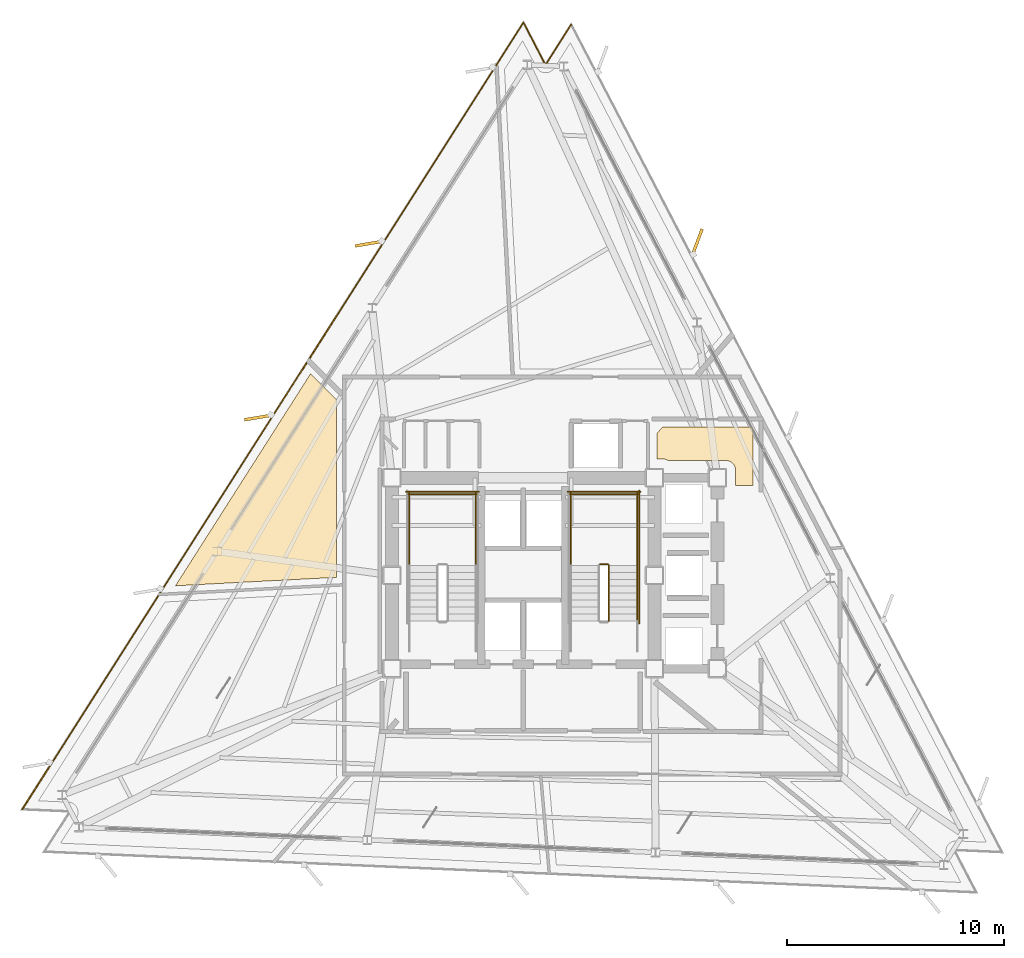
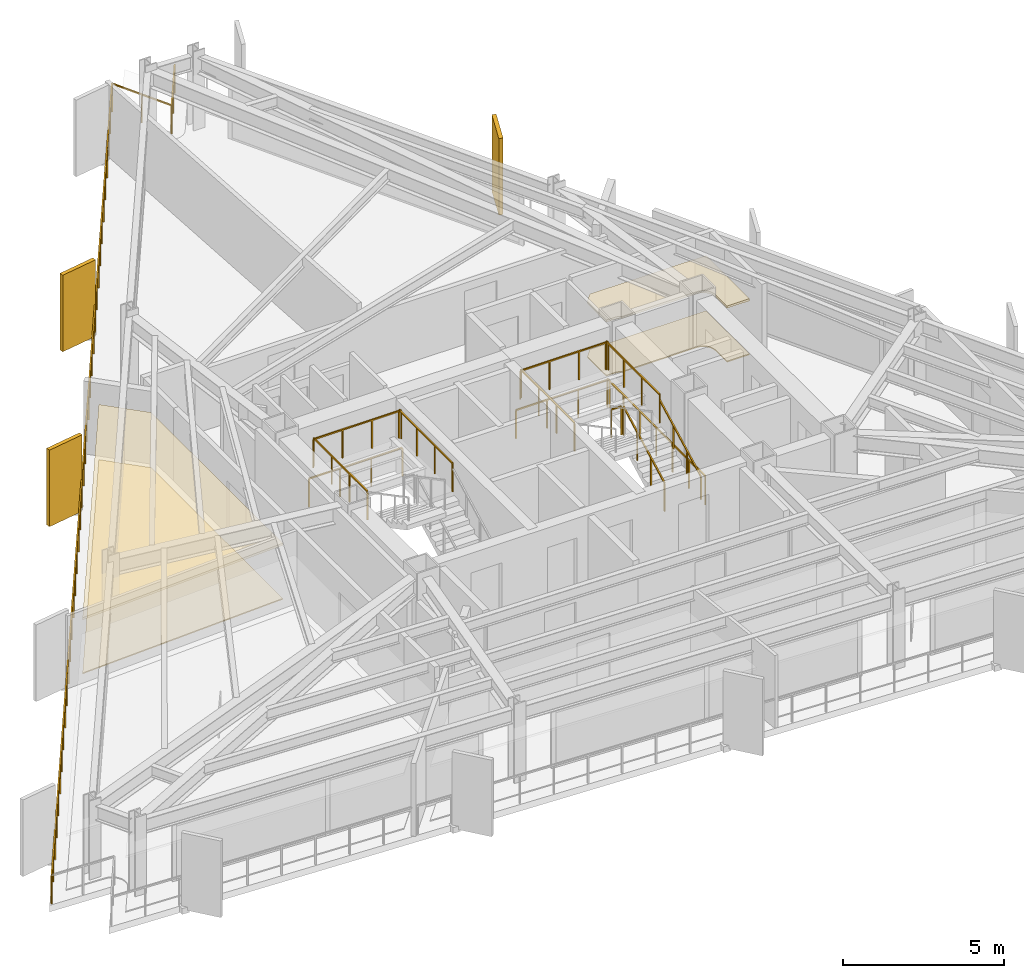
# One storey, part 11 of 12: 13 railings, 4 coverings, 3 shading devices.
"""IFC4 building model written with IfcOpenShell, lengths in metres."""

from ifc_helpers import new_model, si_unit, direction, frame, origin, origin_2d, place, context, subcontext, project, spatial, polyline, rectangle, outline, extrude, material, layer, layer_set, type_object, element, save


model = new_model("IFC4")

# Units and contexts
model_context = context("Model", 3, precision=1e-05, world=origin(), true_north=direction((0.0, 1.0)))
body_context = subcontext(model_context, "Body", "Model", "MODEL_VIEW")
ifc_project = project(units=[si_unit("LENGTHUNIT", "METRE"), si_unit("AREAUNIT", "SQUARE_METRE"), si_unit("VOLUMEUNIT", "CUBIC_METRE"), si_unit("PLANEANGLEUNIT", "RADIAN"), si_unit("MASSUNIT", "GRAM", prefix="KILO")], contexts=[model_context])

# Site, building, storey
site_placement = place(None, origin())
site = spatial("IfcSite", under=ifc_project, at=site_placement, CompositionType="ELEMENT")
building_placement = place(site_placement, origin())
building = spatial("IfcBuilding", under=site, at=building_placement, Name="Rocaltana Carrier Exchange", CompositionType="ELEMENT")
storey_placement = place(building_placement, frame((0.0, 0.0, 128.9599609375)))
storey = spatial("IfcBuildingStorey", under=building, at=storey_placement, Name="L40", CompositionType="ELEMENT", Elevation=128.9599609375)

# Coverings
ifc_material_1 = material(Name="Honed Bogota Sandstone Tile", Category="masonry")
ifc_layer_1 = layer(ifc_material_1, 0.0400390625)
ifc_layer_set_1 = layer_set([ifc_layer_1], Name="Honed Bogota Sandstone Tile")
covering_type_1 = type_object("IfcCoveringType", Name="Honed Stone Lobby Flooring 40", PredefinedType="FLOORING", material=ifc_layer_set_1)
covering_1_placement = place(storey_placement, origin())
element("IfcCovering", 1, at=covering_1_placement, inside=storey, type_object=covering_type_1, Name="L40 Peering Conference Room Finish Floor", PredefinedType="FLOORING", context=body_context, shape_type="SweptSolid", body=[
    extrude(outline(polyline([(6.6875, 5.2900390625), (6.682861328125, 5.293212890625), (6.66943359375, 5.30126953125), (6.64501953125, 5.314208984375), (6.630859375, 5.32080078125), (6.605712890625, 5.33154296875), (6.5908203125, 5.336669921875), (6.564453125, 5.3447265625), (6.54931640625, 5.348388671875), (6.522216796875, 5.35400390625), (6.5068359375, 5.356201171875), (6.4794921875, 5.35888671875), (6.463623046875, 5.359619140625), (6.449951171875, 5.360107421875), (6.159912109375, 5.360107421875), (6.159912109375, 6.53759765625), (6.4228515625, 6.840087890625), (10.60009765625, 6.840087890625), (10.60009765625, 4.139892578125), (9.7900390625, 4.139892578125), (9.7900390625, 4.85009765625), (9.789794921875, 4.86376953125), (9.788818359375, 4.87939453125), (9.7861328125, 4.90673828125), (9.783935546875, 4.92236328125), (9.778564453125, 4.94921875), (9.774658203125, 4.964599609375), (9.7666015625, 4.99072265625), (9.761474609375, 5.005615234375), (9.7509765625, 5.031005859375), (9.744140625, 5.045166015625), (9.731201171875, 5.0693359375), (9.72314453125, 5.082763671875), (9.7080078125, 5.105712890625), (9.698486328125, 5.118408203125), (9.68115234375, 5.139404296875), (9.670654296875, 5.151123046875), (9.651123046875, 5.170654296875), (9.639404296875, 5.18115234375), (9.618408203125, 5.198486328125), (9.605712890625, 5.2080078125), (9.582763671875, 5.22314453125), (9.5693359375, 5.231201171875), (9.545166015625, 5.244140625), (9.531005859375, 5.2509765625), (9.505615234375, 5.261474609375), (9.49072265625, 5.2666015625), (9.464599609375, 5.274658203125), (9.44921875, 5.278564453125), (9.42236328125, 5.283935546875), (9.40673828125, 5.2861328125), (9.37939453125, 5.288818359375), (9.36376953125, 5.289794921875), (9.35009765625, 5.2900390625), (6.6875, 5.2900390625)])), origin(), (0.0, 0.0, 1.0), 0.0400390625),
])
covering_2_placement = place(storey_placement, origin())
element("IfcCovering", 2, at=covering_2_placement, inside=storey, type_object=covering_type_1, Name="L40 Carrier Peering Suite Finish Floor", PredefinedType="FLOORING", context=body_context, shape_type="SweptSolid", body=[
    extrude(outline(polyline([(-9.802734375, 9.293701171875), (-8.610107421875, 8.100830078125), (-8.610107421875, -0.0908203125), (-16.02880859375, -0.4794921875), (-9.802734375, 9.293701171875)])), origin(), (0.0, 0.0, 1.0), 0.0400390625),
])
ifc_material_2 = material(Name="Anodised Aluminium 6063-T6", Category="aluminium")
ifc_layer_2 = layer(ifc_material_2, 0.0849609375)
ifc_layer_set_2 = layer_set([ifc_layer_2], Name="Anodised Aluminium 6063-T6")
covering_type_2 = type_object("IfcCoveringType", Name="Linear Baffle Acoustic Ceiling 85", PredefinedType="CEILING", material=ifc_layer_set_2)
covering_3_placement = place(storey_placement, frame((0.0, 0.0, 2.052978515625)))
element("IfcCovering", 3, at=covering_3_placement, inside=storey, type_object=covering_type_2, Name="L40 Peering Conference Room Acoustic Ceiling", PredefinedType="CEILING", context=body_context, shape_type="SweptSolid", body=[
    extrude(outline(polyline([(6.6875, 5.2900390625), (6.682861328125, 5.293212890625), (6.66943359375, 5.30126953125), (6.64501953125, 5.314208984375), (6.630859375, 5.32080078125), (6.605712890625, 5.33154296875), (6.5908203125, 5.336669921875), (6.564453125, 5.3447265625), (6.54931640625, 5.348388671875), (6.522216796875, 5.35400390625), (6.5068359375, 5.356201171875), (6.4794921875, 5.35888671875), (6.463623046875, 5.359619140625), (6.449951171875, 5.360107421875), (6.159912109375, 5.360107421875), (6.159912109375, 6.53759765625), (6.4228515625, 6.840087890625), (10.60009765625, 6.840087890625), (10.60009765625, 4.139892578125), (9.7900390625, 4.139892578125), (9.7900390625, 4.85009765625), (9.789794921875, 4.86376953125), (9.788818359375, 4.87939453125), (9.7861328125, 4.90673828125), (9.783935546875, 4.92236328125), (9.778564453125, 4.94921875), (9.774658203125, 4.964599609375), (9.7666015625, 4.99072265625), (9.761474609375, 5.005615234375), (9.7509765625, 5.031005859375), (9.744140625, 5.045166015625), (9.731201171875, 5.0693359375), (9.72314453125, 5.082763671875), (9.7080078125, 5.105712890625), (9.698486328125, 5.118408203125), (9.68115234375, 5.139404296875), (9.670654296875, 5.151123046875), (9.651123046875, 5.170654296875), (9.639404296875, 5.18115234375), (9.618408203125, 5.198486328125), (9.605712890625, 5.2080078125), (9.582763671875, 5.22314453125), (9.5693359375, 5.231201171875), (9.545166015625, 5.244140625), (9.531005859375, 5.2509765625), (9.505615234375, 5.261474609375), (9.49072265625, 5.2666015625), (9.464599609375, 5.274658203125), (9.44921875, 5.278564453125), (9.42236328125, 5.283935546875), (9.40673828125, 5.2861328125), (9.37939453125, 5.288818359375), (9.36376953125, 5.289794921875), (9.35009765625, 5.2900390625), (6.6875, 5.2900390625)])), origin(), (0.0, 0.0, 1.0), 0.0849609375),
])
covering_4_placement = place(storey_placement, frame((0.0, 0.0, 2.052978515625)))
element("IfcCovering", 4, at=covering_4_placement, inside=storey, type_object=covering_type_2, Name="L40 Carrier Peering Suite Acoustic Ceiling", PredefinedType="CEILING", context=body_context, shape_type="SweptSolid", body=[
    extrude(outline(polyline([(-9.802734375, 9.293701171875), (-8.610107421875, 8.100830078125), (-8.610107421875, -0.0908203125), (-16.02880859375, -0.4794921875), (-9.802734375, 9.293701171875)])), origin(), (0.0, 0.0, 1.0), 0.0849609375),
])

# Railings
ifc_material_3 = material(Name="Brushed Architectural Stainless Tube", Category="steel")
ifc_layer_3 = layer(ifc_material_3, 0.048095703125)
ifc_layer_set_3 = layer_set([ifc_layer_3], Name="Brushed Architectural Stainless Tube")
railing_type_1 = type_object("IfcRailingType", Name="Stair Wall Handrail 920", PredefinedType="HANDRAIL", material=ifc_layer_set_3)
railing_1_placement = place(storey_placement, frame((5.25, -2.10009765625, 0.1689453125)))
element("IfcRailing", 5, at=railing_1_placement, inside=storey, type_object=railing_type_1, Name="L40 ST-2 stair handrail 1", PredefinedType="HANDRAIL", context=body_context, shape_type="SweptSolid", body=[
    extrude(rectangle(XDim=0.048095703125, YDim=0.048095703125, at=origin_2d()), frame((0.0, 0.0, 0.8759765625), z_axis=(0.0, 0.884394423565, 0.466740295633), x_axis=(-1.0, 0.0, 0.0)), (0.0, 0.0, 1.0), 2.894775390625),
    extrude(rectangle(XDim=0.0419921875, YDim=0.0419921875, at=origin_2d()), origin(), (0.0, 0.0, 1.0), 0.851806640625),
    extrude(rectangle(XDim=0.0419921875, YDim=0.0419921875, at=origin_2d()), frame((0.0, 0.853271484375, 0.450439453125)), (0.0, 0.0, 1.0), 0.851806640625),
    extrude(rectangle(XDim=0.0419921875, YDim=0.0419921875, at=origin_2d()), frame((0.0, 1.706787109375, 0.900634765625)), (0.0, 0.0, 1.0), 0.851806640625),
    extrude(rectangle(XDim=0.0419921875, YDim=0.0419921875, at=origin_2d()), frame((0.0, 2.56005859375, 1.35107421875)), (0.0, 0.0, 1.0), 0.851806640625),
])
ifc_material_4 = material(Name="Powder-Coated Aluminium 6063-T6", Category="aluminium")
ifc_layer_4 = layer(ifc_material_4, 0.048095703125)
ifc_layer_set_4 = layer_set([ifc_layer_4], Name="Powder-Coated Aluminium 6063-T6")
railing_type_2 = type_object("IfcRailingType", Name="Stair Well Guardrail 1100", PredefinedType="GUARDRAIL", material=ifc_layer_set_4)
for number, where, name in (
    (6, (-2.18994140625, 0.4599609375, 1.52001953125), "L40 ST-1 stair guard 3"),
    (7, (-5.25, 0.4599609375, 1.52001953125), "L40 ST-1 stair guard 4"),
):
    element("IfcRailing", number, at=place(storey_placement, frame(where)), inside=storey, type_object=railing_type_2, Name=name, PredefinedType="GUARDRAIL", context=body_context, shape_type="SweptSolid", body=[
        extrude(rectangle(XDim=0.048095703125, YDim=0.048095703125, at=origin_2d()), frame((0.0, 0.0, 1.076171875), z_axis=(0.0, 1.0, 0.0), x_axis=(-1.0, 0.0, 0.0)), (0.0, 0.0, 1.0), 3.340087890625),
        extrude(rectangle(XDim=0.0419921875, YDim=0.0419921875, at=origin_2d()), origin(), (0.0, 0.0, 1.0), 1.052001953125),
        extrude(rectangle(XDim=0.0419921875, YDim=0.0419921875, at=origin_2d()), frame((0.0, 1.11328125, 0.0)), (0.0, 0.0, 1.0), 1.052001953125),
        extrude(rectangle(XDim=0.0419921875, YDim=0.0419921875, at=origin_2d()), frame((0.0, 2.226806640625, 0.0)), (0.0, 0.0, 1.0), 1.052001953125),
        extrude(rectangle(XDim=0.0419921875, YDim=0.0419921875, at=origin_2d()), frame((0.0, 3.340087890625, 0.0)), (0.0, 0.0, 1.0), 1.052001953125),
    ])
railing_2_placement = place(storey_placement, frame((-2.139892578125, 3.75, 1.52001953125)))
element("IfcRailing", 8, at=railing_2_placement, inside=storey, type_object=railing_type_2, Name="L40 ST-1 stair guard 5", PredefinedType="GUARDRAIL", context=body_context, shape_type="SweptSolid", body=[
    extrude(rectangle(XDim=0.048095703125, YDim=0.048095703125, at=origin_2d()), frame((0.0, 0.0, 1.076171875), z_axis=(-1.0, 0.0, 0.0), x_axis=(0.0, -1.0, 0.0)), (0.0, 0.0, 1.0), 3.16015625),
    extrude(rectangle(XDim=0.0419921875, YDim=0.0419921875, at=origin_2d()), origin(), (0.0, 0.0, 1.0), 1.052001953125),
    extrude(rectangle(XDim=0.0419921875, YDim=0.0419921875, at=origin_2d()), frame((-1.053466796875, 0.0, 0.0)), (0.0, 0.0, 1.0), 1.052001953125),
    extrude(rectangle(XDim=0.0419921875, YDim=0.0419921875, at=origin_2d()), frame((-2.106689453125, 0.0, 0.0)), (0.0, 0.0, 1.0), 1.052001953125),
    extrude(rectangle(XDim=0.0419921875, YDim=0.0419921875, at=origin_2d()), frame((-3.16015625, 0.0, 0.0)), (0.0, 0.0, 1.0), 1.052001953125),
])
railing_3_placement = place(storey_placement, frame((-2.0400390625, 3.85009765625, 0.0)))
element("IfcRailing", 9, at=railing_3_placement, inside=storey, type_object=railing_type_2, Name="L40 ST-1 stair guard 12", PredefinedType="GUARDRAIL", context=body_context, shape_type="SweptSolid", body=[
    extrude(rectangle(XDim=0.048095703125, YDim=0.048095703125, at=origin_2d()), frame((0.0, 0.0, 1.076171875), z_axis=(-1.0, 0.0, 0.0), x_axis=(0.0, -1.0, 0.0)), (0.0, 0.0, 1.0), 3.35986328125),
    extrude(rectangle(XDim=0.0419921875, YDim=0.0419921875, at=origin_2d()), origin(), (0.0, 0.0, 1.0), 1.052001953125),
    extrude(rectangle(XDim=0.0419921875, YDim=0.0419921875, at=origin_2d()), frame((-1.119873046875, 0.0, 0.0)), (0.0, 0.0, 1.0), 1.052001953125),
    extrude(rectangle(XDim=0.0419921875, YDim=0.0419921875, at=origin_2d()), frame((-2.239990234375, 0.0, 0.0)), (0.0, 0.0, 1.0), 1.052001953125),
    extrude(rectangle(XDim=0.0419921875, YDim=0.0419921875, at=origin_2d()), frame((-3.35986328125, 0.0, 0.0)), (0.0, 0.0, 1.0), 1.052001953125),
])
railing_4_placement = place(storey_placement, frame((3.949951171875, -2.10009765625, 0.1689453125)))
element("IfcRailing", 10, at=railing_4_placement, inside=storey, type_object=railing_type_2, Name="L40 ST-2 stair guard 1", PredefinedType="GUARDRAIL", context=body_context, shape_type="SweptSolid", body=[
    extrude(rectangle(XDim=0.048095703125, YDim=0.048095703125, at=origin_2d()), frame((0.0, 0.0, 1.076171875), z_axis=(0.0, 0.884394423565, 0.466740295633), x_axis=(-1.0, 0.0, 0.0)), (0.0, 0.0, 1.0), 2.894775390625),
    extrude(rectangle(XDim=0.0419921875, YDim=0.0419921875, at=origin_2d()), origin(), (0.0, 0.0, 1.0), 1.052001953125),
    extrude(rectangle(XDim=0.0419921875, YDim=0.0419921875, at=origin_2d()), frame((0.0, 0.853271484375, 0.450439453125)), (0.0, 0.0, 1.0), 1.052001953125),
    extrude(rectangle(XDim=0.0419921875, YDim=0.0419921875, at=origin_2d()), frame((0.0, 1.706787109375, 0.900634765625)), (0.0, 0.0, 1.0), 1.052001953125),
    extrude(rectangle(XDim=0.0419921875, YDim=0.0419921875, at=origin_2d()), frame((0.0, 2.56005859375, 1.35107421875)), (0.0, 0.0, 1.0), 1.052001953125),
])
railing_5_placement = place(storey_placement, frame((3.89990234375, 0.510009765625, 1.52001953125)))
element("IfcRailing", 11, at=railing_5_placement, inside=storey, type_object=railing_type_2, Name="L40 ST-2 stair guard 2", PredefinedType="GUARDRAIL", context=body_context, shape_type="SweptSolid", body=[
    extrude(rectangle(XDim=0.048095703125, YDim=0.048095703125, at=origin_2d()), frame((0.0, 0.0, 1.076171875), z_axis=(-1.0, 0.0, 0.0), x_axis=(0.0, -1.0, 0.0)), (0.0, 0.0, 1.0), 0.35986328125),
    extrude(rectangle(XDim=0.0419921875, YDim=0.0419921875, at=origin_2d()), origin(), (0.0, 0.0, 1.0), 1.052001953125),
    extrude(rectangle(XDim=0.0419921875, YDim=0.0419921875, at=origin_2d()), frame((-0.35986328125, 0.0, 0.0)), (0.0, 0.0, 1.0), 1.052001953125),
])
for number, where, name in (
    (12, (5.25, 0.4599609375, 1.52001953125), "L40 ST-2 stair guard 3"),
    (13, (2.18994140625, 0.4599609375, 1.52001953125), "L40 ST-2 stair guard 4"),
):
    element("IfcRailing", number, at=place(storey_placement, frame(where)), inside=storey, type_object=railing_type_2, Name=name, PredefinedType="GUARDRAIL", context=body_context, shape_type="SweptSolid", body=[
        extrude(rectangle(XDim=0.048095703125, YDim=0.048095703125, at=origin_2d()), frame((0.0, 0.0, 1.076171875), z_axis=(0.0, 1.0, 0.0), x_axis=(-1.0, 0.0, 0.0)), (0.0, 0.0, 1.0), 3.340087890625),
        extrude(rectangle(XDim=0.0419921875, YDim=0.0419921875, at=origin_2d()), origin(), (0.0, 0.0, 1.0), 1.052001953125),
        extrude(rectangle(XDim=0.0419921875, YDim=0.0419921875, at=origin_2d()), frame((0.0, 1.11328125, 0.0)), (0.0, 0.0, 1.0), 1.052001953125),
        extrude(rectangle(XDim=0.0419921875, YDim=0.0419921875, at=origin_2d()), frame((0.0, 2.226806640625, 0.0)), (0.0, 0.0, 1.0), 1.052001953125),
        extrude(rectangle(XDim=0.0419921875, YDim=0.0419921875, at=origin_2d()), frame((0.0, 3.340087890625, 0.0)), (0.0, 0.0, 1.0), 1.052001953125),
    ])
railing_6_placement = place(storey_placement, frame((5.300048828125, 3.75, 1.52001953125)))
element("IfcRailing", 14, at=railing_6_placement, inside=storey, type_object=railing_type_2, Name="L40 ST-2 stair guard 5", PredefinedType="GUARDRAIL", context=body_context, shape_type="SweptSolid", body=[
    extrude(rectangle(XDim=0.048095703125, YDim=0.048095703125, at=origin_2d()), frame((0.0, 0.0, 1.076171875), z_axis=(-1.0, 0.0, 0.0), x_axis=(0.0, -1.0, 0.0)), (0.0, 0.0, 1.0), 3.16015625),
    extrude(rectangle(XDim=0.0419921875, YDim=0.0419921875, at=origin_2d()), origin(), (0.0, 0.0, 1.0), 1.052001953125),
    extrude(rectangle(XDim=0.0419921875, YDim=0.0419921875, at=origin_2d()), frame((-1.053466796875, 0.0, 0.0)), (0.0, 0.0, 1.0), 1.052001953125),
    extrude(rectangle(XDim=0.0419921875, YDim=0.0419921875, at=origin_2d()), frame((-2.106689453125, 0.0, 0.0)), (0.0, 0.0, 1.0), 1.052001953125),
    extrude(rectangle(XDim=0.0419921875, YDim=0.0419921875, at=origin_2d()), frame((-3.16015625, 0.0, 0.0)), (0.0, 0.0, 1.0), 1.052001953125),
])
railing_7_placement = place(storey_placement, frame((5.35009765625, -2.199951171875, 0.0)))
element("IfcRailing", 15, at=railing_7_placement, inside=storey, type_object=railing_type_2, Name="L40 ST-2 stair guard 10", PredefinedType="GUARDRAIL", context=body_context, shape_type="SweptSolid", body=[
    extrude(rectangle(XDim=0.048095703125, YDim=0.048095703125, at=origin_2d()), frame((0.0, 0.0, 1.076171875), z_axis=(0.0, 1.0, 0.0), x_axis=(-1.0, 0.0, 0.0)), (0.0, 0.0, 1.0), 6.099853515625),
    extrude(rectangle(XDim=0.0419921875, YDim=0.0419921875, at=origin_2d()), origin(), (0.0, 0.0, 1.0), 1.052001953125),
    extrude(rectangle(XDim=0.0419921875, YDim=0.0419921875, at=origin_2d()), frame((0.0, 1.0166015625, 0.0)), (0.0, 0.0, 1.0), 1.052001953125),
    extrude(rectangle(XDim=0.0419921875, YDim=0.0419921875, at=origin_2d()), frame((0.0, 2.033203125, 0.0)), (0.0, 0.0, 1.0), 1.052001953125),
    extrude(rectangle(XDim=0.0419921875, YDim=0.0419921875, at=origin_2d()), frame((0.0, 3.0498046875, 0.0)), (0.0, 0.0, 1.0), 1.052001953125),
    extrude(rectangle(XDim=0.0419921875, YDim=0.0419921875, at=origin_2d()), frame((0.0, 4.066650390625, 0.0)), (0.0, 0.0, 1.0), 1.052001953125),
    extrude(rectangle(XDim=0.0419921875, YDim=0.0419921875, at=origin_2d()), frame((0.0, 5.083251953125, 0.0)), (0.0, 0.0, 1.0), 1.052001953125),
    extrude(rectangle(XDim=0.0419921875, YDim=0.0419921875, at=origin_2d()), frame((0.0, 6.099853515625, 0.0)), (0.0, 0.0, 1.0), 1.052001953125),
])
railing_8_placement = place(storey_placement, frame((5.39990234375, 3.85009765625, 0.0)))
element("IfcRailing", 16, at=railing_8_placement, inside=storey, type_object=railing_type_2, Name="L40 ST-2 stair guard 12", PredefinedType="GUARDRAIL", context=body_context, shape_type="SweptSolid", body=[
    extrude(rectangle(XDim=0.048095703125, YDim=0.048095703125, at=origin_2d()), frame((0.0, 0.0, 1.076171875), z_axis=(-1.0, 0.0, 0.0), x_axis=(0.0, -1.0, 0.0)), (0.0, 0.0, 1.0), 3.35986328125),
    extrude(rectangle(XDim=0.0419921875, YDim=0.0419921875, at=origin_2d()), origin(), (0.0, 0.0, 1.0), 1.052001953125),
    extrude(rectangle(XDim=0.0419921875, YDim=0.0419921875, at=origin_2d()), frame((-1.119873046875, 0.0, 0.0)), (0.0, 0.0, 1.0), 1.052001953125),
    extrude(rectangle(XDim=0.0419921875, YDim=0.0419921875, at=origin_2d()), frame((-2.239990234375, 0.0, 0.0)), (0.0, 0.0, 1.0), 1.052001953125),
    extrude(rectangle(XDim=0.0419921875, YDim=0.0419921875, at=origin_2d()), frame((-3.35986328125, 0.0, 0.0)), (0.0, 0.0, 1.0), 1.052001953125),
])

# Shading devices
ifc_material_5 = material(Name="Honed Bogota Sandstone & Concrete C45/55", Category="masonry")
ifc_layer_5 = layer(ifc_material_5, 0.139892578125)
ifc_layer_set_5 = layer_set([ifc_layer_5], Name="Honed Bogota Sandstone & Concrete C45/55")
shading_device_type = type_object("IfcShadingDeviceType", Name="Vertical Sandstone Shading Fin 1320x140", PredefinedType="USERDEFINED", material=ifc_layer_set_5)
for number, where, z_axis, x_axis, name in (
    (17, (8.018798828125, 15.352294921875, -0.1201171875), (0.0, 0.0, 1.0), (0.350207381259, 0.936672189248, 0.0), "L40 Sandstone Vertical Fin F1-04"),
    (18, (-7.09619140625, 15.29296875, -0.1201171875), (0.0, 0.0, 1.0), (-0.986285601537, -0.165047605861, 0.0), "L40 Sandstone Vertical Fin F2-02"),
    (19, (-12.200439453125, 7.28076171875, -0.1201171875), (0.0, 0.0, 1.0), (-0.986285601537, -0.165047605861, 0.0), "L40 Sandstone Vertical Fin F2-03"),
):
    element("IfcShadingDevice", number, at=place(storey_placement, frame(where, z_axis=z_axis, x_axis=x_axis)), inside=storey, type_object=shading_device_type, Name=name, ObjectType="FIN", PredefinedType="USERDEFINED", context=body_context, shape_type="SweptSolid", body=[
        extrude(rectangle(XDim=1.320068359375, YDim=0.139892578125, at=origin_2d()), origin(), (0.0, 0.0, 1.0), 2.907958984375),
    ])

# Railing
ifc_material_6 = material(Name="Powder-Coated Aluminium 6063-T6", Category="aluminium")
ifc_layer_6 = layer(ifc_material_6, 0.06005859375)
ifc_layer_set_6 = layer_set([ifc_layer_6], Name="Powder-Coated Aluminium 6063-T6")
railing_type_3 = type_object("IfcRailingType", Name="Wind-Floor & Terrace Perimeter Guardrail 1100", PredefinedType="GUARDRAIL", material=ifc_layer_set_6)
railing_9_placement = place(storey_placement, frame((-23.08837890625, -10.77880859375, 0.0)))
element("IfcRailing", 20, at=railing_9_placement, inside=storey, type_object=railing_type_3, Name="L40 Perimeter Balcony Guardrail 2", PredefinedType="GUARDRAIL", context=body_context, shape_type="SweptSolid", body=[
    extrude(rectangle(XDim=0.048095703125, YDim=0.048095703125, at=origin_2d()), frame((0.0, 0.0, 1.076171875), z_axis=(0.537302027916, 0.843389904373, 0.0), x_axis=(-0.843389904373, 0.537302027916, 0.0)), (0.0, 0.0, 1.0), 42.9921875),
    extrude(rectangle(XDim=0.048095703125, YDim=0.048095703125, at=origin_2d()), frame((23.099853515625, 36.25927734375, 1.076171875), z_axis=(0.46171255631, -0.887029602294, 0.0), x_axis=(0.887029602294, 0.46171255631, 0.0)), (0.0, 0.0, 1.0), 2.2001953125),
    extrude(rectangle(XDim=0.048095703125, YDim=0.048095703125, at=origin_2d()), frame((24.11572265625, 34.3076171875, 1.076171875), z_axis=(0.537270321913, 0.843410102614, 0.0), x_axis=(-0.843410102614, 0.537270321913, 0.0)), (0.0, 0.0, 1.0), 2.2001953125),
    extrude(rectangle(XDim=0.0419921875, YDim=0.0419921875, at=origin_2d()), origin(), (0.0, 0.0, 1.0), 1.052001953125),
    extrude(rectangle(XDim=0.0419921875, YDim=0.0419921875, at=origin_2d()), frame((0.6416015625, 1.00732421875, 0.0)), (0.0, 0.0, 1.0), 1.052001953125),
    extrude(rectangle(XDim=0.0419921875, YDim=0.0419921875, at=origin_2d()), frame((1.283203125, 2.014404296875, 0.0)), (0.0, 0.0, 1.0), 1.052001953125),
    extrude(rectangle(XDim=0.0419921875, YDim=0.0419921875, at=origin_2d()), frame((1.925048828125, 3.021484375, 0.0)), (0.0, 0.0, 1.0), 1.052001953125),
    extrude(rectangle(XDim=0.0419921875, YDim=0.0419921875, at=origin_2d()), frame((2.566650390625, 4.02880859375, 0.0)), (0.0, 0.0, 1.0), 1.052001953125),
    extrude(rectangle(XDim=0.0419921875, YDim=0.0419921875, at=origin_2d()), frame((3.208251953125, 5.0361328125, 0.0)), (0.0, 0.0, 1.0), 1.052001953125),
    extrude(rectangle(XDim=0.0419921875, YDim=0.0419921875, at=origin_2d()), frame((3.85009765625, 6.043212890625, 0.0)), (0.0, 0.0, 1.0), 1.052001953125),
    extrude(rectangle(XDim=0.0419921875, YDim=0.0419921875, at=origin_2d()), frame((4.49169921875, 7.05029296875, 0.0)), (0.0, 0.0, 1.0), 1.052001953125),
    extrude(rectangle(XDim=0.0419921875, YDim=0.0419921875, at=origin_2d()), frame((5.13330078125, 8.0576171875, 0.0)), (0.0, 0.0, 1.0), 1.052001953125),
    extrude(rectangle(XDim=0.0419921875, YDim=0.0419921875, at=origin_2d()), frame((5.77490234375, 9.06494140625, 0.0)), (0.0, 0.0, 1.0), 1.052001953125),
    extrude(rectangle(XDim=0.0419921875, YDim=0.0419921875, at=origin_2d()), frame((6.41650390625, 10.072021484375, 0.0)), (0.0, 0.0, 1.0), 1.052001953125),
    extrude(rectangle(XDim=0.0419921875, YDim=0.0419921875, at=origin_2d()), frame((7.058349609375, 11.079345703125, 0.0)), (0.0, 0.0, 1.0), 1.052001953125),
    extrude(rectangle(XDim=0.0419921875, YDim=0.0419921875, at=origin_2d()), frame((7.699951171875, 12.08642578125, 0.0)), (0.0, 0.0, 1.0), 1.052001953125),
    extrude(rectangle(XDim=0.0419921875, YDim=0.0419921875, at=origin_2d()), frame((8.341552734375, 13.09375, 0.0)), (0.0, 0.0, 1.0), 1.052001953125),
    extrude(rectangle(XDim=0.0419921875, YDim=0.0419921875, at=origin_2d()), frame((8.9833984375, 14.100830078125, 0.0)), (0.0, 0.0, 1.0), 1.052001953125),
    extrude(rectangle(XDim=0.0419921875, YDim=0.0419921875, at=origin_2d()), frame((9.625, 15.10791015625, 0.0)), (0.0, 0.0, 1.0), 1.052001953125),
    extrude(rectangle(XDim=0.0419921875, YDim=0.0419921875, at=origin_2d()), frame((10.2666015625, 16.115234375, 0.0)), (0.0, 0.0, 1.0), 1.052001953125),
    extrude(rectangle(XDim=0.0419921875, YDim=0.0419921875, at=origin_2d()), frame((10.908203125, 17.12255859375, 0.0)), (0.0, 0.0, 1.0), 1.052001953125),
    extrude(rectangle(XDim=0.0419921875, YDim=0.0419921875, at=origin_2d()), frame((11.5498046875, 18.129638671875, 0.0)), (0.0, 0.0, 1.0), 1.052001953125),
    extrude(rectangle(XDim=0.0419921875, YDim=0.0419921875, at=origin_2d()), frame((12.191650390625, 19.13671875, 0.0)), (0.0, 0.0, 1.0), 1.052001953125),
    extrude(rectangle(XDim=0.0419921875, YDim=0.0419921875, at=origin_2d()), frame((12.833251953125, 20.14404296875, 0.0)), (0.0, 0.0, 1.0), 1.052001953125),
    extrude(rectangle(XDim=0.0419921875, YDim=0.0419921875, at=origin_2d()), frame((13.474853515625, 21.1513671875, 0.0)), (0.0, 0.0, 1.0), 1.052001953125),
    extrude(rectangle(XDim=0.0419921875, YDim=0.0419921875, at=origin_2d()), frame((14.11669921875, 22.158447265625, 0.0)), (0.0, 0.0, 1.0), 1.052001953125),
    extrude(rectangle(XDim=0.0419921875, YDim=0.0419921875, at=origin_2d()), frame((14.75830078125, 23.16552734375, 0.0)), (0.0, 0.0, 1.0), 1.052001953125),
    extrude(rectangle(XDim=0.0419921875, YDim=0.0419921875, at=origin_2d()), frame((15.39990234375, 24.1728515625, 0.0)), (0.0, 0.0, 1.0), 1.052001953125),
    extrude(rectangle(XDim=0.0419921875, YDim=0.0419921875, at=origin_2d()), frame((16.04150390625, 25.18017578125, 0.0)), (0.0, 0.0, 1.0), 1.052001953125),
    extrude(rectangle(XDim=0.0419921875, YDim=0.0419921875, at=origin_2d()), frame((16.68310546875, 26.187255859375, 0.0)), (0.0, 0.0, 1.0), 1.052001953125),
    extrude(rectangle(XDim=0.0419921875, YDim=0.0419921875, at=origin_2d()), frame((17.324951171875, 27.1943359375, 0.0)), (0.0, 0.0, 1.0), 1.052001953125),
    extrude(rectangle(XDim=0.0419921875, YDim=0.0419921875, at=origin_2d()), frame((17.966552734375, 28.20166015625, 0.0)), (0.0, 0.0, 1.0), 1.052001953125),
    extrude(rectangle(XDim=0.0419921875, YDim=0.0419921875, at=origin_2d()), frame((18.608154296875, 29.208984375, 0.0)), (0.0, 0.0, 1.0), 1.052001953125),
    extrude(rectangle(XDim=0.0419921875, YDim=0.0419921875, at=origin_2d()), frame((19.25, 30.216064453125, 0.0)), (0.0, 0.0, 1.0), 1.052001953125),
    extrude(rectangle(XDim=0.0419921875, YDim=0.0419921875, at=origin_2d()), frame((19.8916015625, 31.223388671875, 0.0)), (0.0, 0.0, 1.0), 1.052001953125),
    extrude(rectangle(XDim=0.0419921875, YDim=0.0419921875, at=origin_2d()), frame((20.533203125, 32.23046875, 0.0)), (0.0, 0.0, 1.0), 1.052001953125),
    extrude(rectangle(XDim=0.0419921875, YDim=0.0419921875, at=origin_2d()), frame((21.1748046875, 33.23779296875, 0.0)), (0.0, 0.0, 1.0), 1.052001953125),
    extrude(rectangle(XDim=0.0419921875, YDim=0.0419921875, at=origin_2d()), frame((21.81640625, 34.244873046875, 0.0)), (0.0, 0.0, 1.0), 1.052001953125),
    extrude(rectangle(XDim=0.0419921875, YDim=0.0419921875, at=origin_2d()), frame((22.458251953125, 35.251953125, 0.0)), (0.0, 0.0, 1.0), 1.052001953125),
    extrude(rectangle(XDim=0.0419921875, YDim=0.0419921875, at=origin_2d()), frame((23.099853515625, 36.25927734375, 0.0)), (0.0, 0.0, 1.0), 1.052001953125),
    extrude(rectangle(XDim=0.0419921875, YDim=0.0419921875, at=origin_2d()), frame((23.60791015625, 35.283447265625, 0.0)), (0.0, 0.0, 1.0), 1.052001953125),
    extrude(rectangle(XDim=0.0419921875, YDim=0.0419921875, at=origin_2d()), frame((24.11572265625, 34.3076171875, 0.0)), (0.0, 0.0, 1.0), 1.052001953125),
    extrude(rectangle(XDim=0.0419921875, YDim=0.0419921875, at=origin_2d()), frame((24.706787109375, 35.2353515625, 0.0)), (0.0, 0.0, 1.0), 1.052001953125),
    extrude(rectangle(XDim=0.0419921875, YDim=0.0419921875, at=origin_2d()), frame((25.2978515625, 36.163330078125, 0.0)), (0.0, 0.0, 1.0), 1.052001953125),
])

save(model, "model.ifc")
